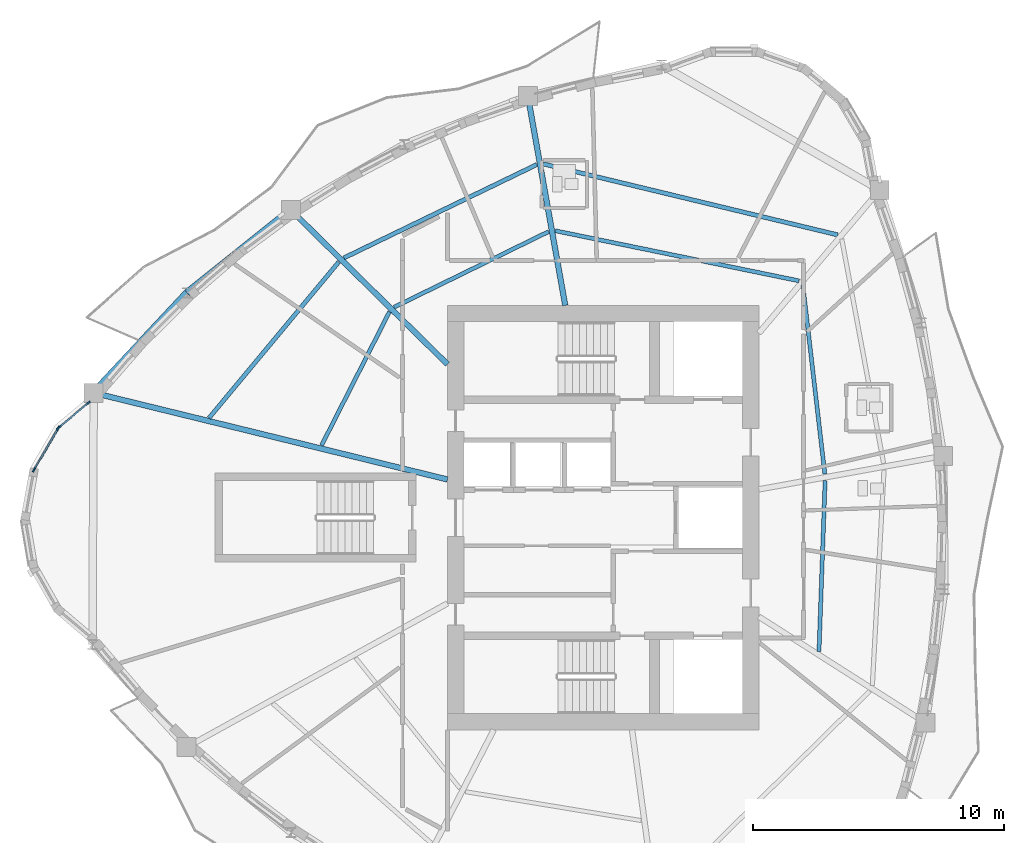
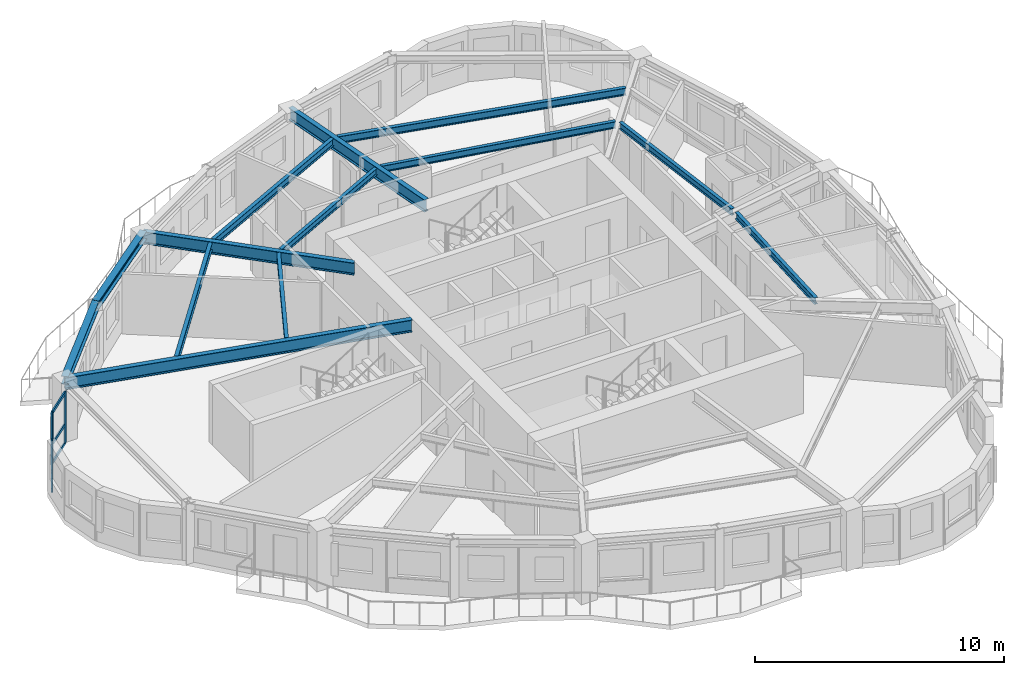
# One storey, part 2 of 13: 13 beams, 10 members, 2 elements without a shape of their own.
"""IFC4 building model written with IfcOpenShell, lengths in metres."""

from ifc_helpers import new_model, si_unit, direction, frame, origin, origin_2d, place, context, subcontext, project, spatial, rectangle, i_section, extrude, source, transform, mapped, material, layer, layer_set, material_profile, profile_set, type_object, element, aggregate, save


model = new_model("IFC4")

# Units and contexts
model_context = context("Model", 3, precision=1e-05, world=origin(), true_north=direction((0.0, 1.0)))
body_context = subcontext(model_context, "Body", "Model", "MODEL_VIEW")
ifc_project = project(units=[si_unit("LENGTHUNIT", "METRE"), si_unit("AREAUNIT", "SQUARE_METRE"), si_unit("VOLUMEUNIT", "CUBIC_METRE"), si_unit("PLANEANGLEUNIT", "RADIAN"), si_unit("MASSUNIT", "GRAM", prefix="KILO")], contexts=[model_context])

# Site, building, storey
site_placement = place(None, origin())
site = spatial("IfcSite", under=ifc_project, at=site_placement, CompositionType="ELEMENT")
building_placement = place(site_placement, origin())
building = spatial("IfcBuilding", under=site, at=building_placement, Name="Qafzar Sky-Pleat Residences", CompositionType="ELEMENT")
storey_placement = place(building_placement, frame((0.0, 0.0, 136.199951171875)))
storey = spatial("IfcBuildingStorey", under=building, at=storey_placement, Name="L40", CompositionType="ELEMENT", Elevation=136.199951171875)

# Beams
ifc_material_1 = material(Name="Steel S355", Category="steel")
ifc_material_profile_1 = material_profile(ifc_material_1, i_section(OverallWidth=0.300048828125, OverallDepth=0.39990234375, WebThickness=0.013427734375, FlangeThickness=0.02392578125, FilletRadius=0.027099609375, at=origin_2d()), Name="HEB 400")
ifc_profile_set_1 = profile_set([ifc_material_profile_1], Name="Steel S355")
beam_type_1 = type_object("IfcBeamType", Name="BM-SPAN-HEB400", PredefinedType="SPANDREL", material=ifc_profile_set_1)
shared_shape_1 = source(origin(), body_context, "Body", "SweptSolid", [
    extrude(i_section(OverallWidth=0.300048828125, OverallDepth=0.39990234375, WebThickness=0.013427734375, FlangeThickness=0.02392578125, FilletRadius=0.027099609375, at=origin_2d()), origin(), (0.0, 0.0, 1.0), 5.45556640625),
])
beam_1_placement = place(storey_placement, frame((13.791015625, 34.95166015625, 2.748046875), z_axis=(-0.683129413239, -0.73029733997, 0.0), x_axis=(0.73029733997, -0.683129413239, 0.0)))
element("IfcBeam", 1, at=beam_1_placement, inside=storey, type_object=beam_type_1, Name="L40 Perimeter Spandrel Beam 18", PredefinedType="SPANDREL", context=body_context, shape_type="MappedRepresentation", body=[
    mapped(shared_shape_1, transform((0.0, 0.0, 0.0), x_axis=(1.0, 0.0, 0.0), y_axis=(0.0, 1.0, 0.0), z_axis=(0.0, 0.0, 1.0), scale=1.0)),
])
shared_shape_2 = source(origin(), body_context, "Body", "SweptSolid", [
    extrude(i_section(OverallWidth=0.300048828125, OverallDepth=0.39990234375, WebThickness=0.013427734375, FlangeThickness=0.02392578125, FilletRadius=0.027099609375, at=origin_2d()), origin(), (0.0, 0.0, 1.0), 5.27978515625),
])
beam_2_placement = place(storey_placement, frame((17.914794921875, 38.24853515625, 2.748046875), z_axis=(-0.781067270651, -0.62444689023, 0.0), x_axis=(0.62444689023, -0.781067270651, 0.0)))
element("IfcBeam", 2, at=beam_2_placement, inside=storey, type_object=beam_type_1, Name="L40 Perimeter Spandrel Beam 17", PredefinedType="SPANDREL", context=body_context, shape_type="MappedRepresentation", body=[
    mapped(shared_shape_2, transform((0.0, 0.0, 0.0), x_axis=(1.0, 0.0, 0.0), y_axis=(0.0, 1.0, 0.0), z_axis=(0.0, 0.0, 1.0), scale=1.0)),
])
ifc_material_profile_2 = material_profile(ifc_material_1, i_section(OverallWidth=0.219970703125, OverallDepth=0.60009765625, WebThickness=0.011962890625, FlangeThickness=0.01904296875, FilletRadius=0.02392578125, at=origin_2d()), Name="IPE 600")
ifc_profile_set_2 = profile_set([ifc_material_profile_2], Name="Steel S355")
beam_type_2 = type_object("IfcBeamType", Name="BM-SEC-IPE600", PredefinedType="BEAM", material=ifc_profile_set_2)
shared_shape_3 = source(origin(), body_context, "Body", "SweptSolid", [
    extrude(i_section(OverallWidth=0.219970703125, OverallDepth=0.60009765625, WebThickness=0.011962890625, FlangeThickness=0.01904296875, FilletRadius=0.02392578125, at=origin_2d()), origin(), (0.0, 0.0, 1.0), 14.501953125),
])
beam_3_placement = place(storey_placement, frame((10.064208984375, 30.967529296875, 2.64794921875), z_axis=(0.971302709207, -0.2378466882, 0.0), x_axis=(0.2378466882, 0.971302709207, 0.0)))
element("IfcBeam", 3, at=beam_3_placement, inside=storey, type_object=beam_type_2, Name="L40 Radial Floor Girder 1", PredefinedType="BEAM", context=body_context, shape_type="MappedRepresentation", body=[
    mapped(shared_shape_3, transform((0.0, 0.0, 0.0), x_axis=(1.0, 0.0, 0.0), y_axis=(0.0, 1.0, 0.0), z_axis=(0.0, 0.0, 1.0), scale=1.0)),
])
shared_shape_4 = source(origin(), body_context, "Body", "SweptSolid", [
    extrude(i_section(OverallWidth=0.219970703125, OverallDepth=0.60009765625, WebThickness=0.011962890625, FlangeThickness=0.01904296875, FilletRadius=0.02392578125, at=origin_2d()), origin(), (0.0, 0.0, 1.0), 8.462890625),
])
beam_4_placement = place(storey_placement, frame((27.352294921875, 42.781005859375, 2.64794921875), z_axis=(0.175858532928, -0.984415449085, 0.0), x_axis=(0.984415449085, 0.175858532928, 0.0)))
element("IfcBeam", 4, at=beam_4_placement, inside=storey, type_object=beam_type_2, Name="L40 Radial Floor Girder 15", PredefinedType="BEAM", context=body_context, shape_type="MappedRepresentation", body=[
    mapped(shared_shape_4, transform((0.0, 0.0, 0.0), x_axis=(1.0, 0.0, 0.0), y_axis=(0.0, 1.0, 0.0), z_axis=(0.0, 0.0, 1.0), scale=1.0)),
])
shared_shape_5 = source(origin(), body_context, "Body", "SweptSolid", [
    extrude(i_section(OverallWidth=0.219970703125, OverallDepth=0.60009765625, WebThickness=0.011962890625, FlangeThickness=0.01904296875, FilletRadius=0.02392578125, at=origin_2d()), origin(), (0.0, 0.0, 1.0), 8.751953125),
])
beam_5_placement = place(storey_placement, frame((17.914794921875, 38.24853515625, 2.64794921875), z_axis=(0.712428631163, -0.701744572832, 0.0), x_axis=(0.701744572832, 0.712428631163, 0.0)))
element("IfcBeam", 5, at=beam_5_placement, inside=storey, type_object=beam_type_2, Name="L40 Radial Floor Girder 17", PredefinedType="BEAM", context=body_context, shape_type="MappedRepresentation", body=[
    mapped(shared_shape_5, transform((0.0, 0.0, 0.0), x_axis=(1.0, 0.0, 0.0), y_axis=(0.0, 1.0, 0.0), z_axis=(0.0, 0.0, 1.0), scale=1.0)),
])
ifc_material_profile_3 = material_profile(ifc_material_1, i_section(OverallWidth=0.169921875, OverallDepth=0.360107421875, WebThickness=0.008056640625, FlangeThickness=0.0126953125, FilletRadius=0.01806640625, at=origin_2d()), Name="IPE 360")
ifc_profile_set_3 = profile_set([ifc_material_profile_3], Name="Steel S355")
beam_type_3 = type_object("IfcBeamType", Name="BM-JST-IPE360", PredefinedType="JOIST", material=ifc_profile_set_3)
shared_shape_6 = source(origin(), body_context, "Body", "SweptSolid", [
    extrude(i_section(OverallWidth=0.169921875, OverallDepth=0.360107421875, WebThickness=0.008056640625, FlangeThickness=0.0126953125, FilletRadius=0.01806640625, at=origin_2d()), origin(), (0.0, 0.0, 1.0), 12.069580078125),
])
beam_6_placement = place(storey_placement, frame((39.693359375, 37.255615234375, 2.76806640625), z_axis=(-0.972164877291, 0.234297783518, 0.0), x_axis=(-0.234297783518, -0.972164877291, 0.0)))
element("IfcBeam", 6, at=beam_6_placement, inside=storey, type_object=beam_type_3, Name="L40 Outer Secondary Floor Joist 7", PredefinedType="JOIST", context=body_context, shape_type="MappedRepresentation", body=[
    mapped(shared_shape_6, transform((0.0, 0.0, 0.0), x_axis=(1.0, 0.0, 0.0), y_axis=(0.0, 1.0, 0.0), z_axis=(0.0, 0.0, 1.0), scale=1.0)),
])
shared_shape_7 = source(origin(), body_context, "Body", "SweptSolid", [
    extrude(i_section(OverallWidth=0.169921875, OverallDepth=0.360107421875, WebThickness=0.008056640625, FlangeThickness=0.0126953125, FilletRadius=0.01806640625, at=origin_2d()), origin(), (0.0, 0.0, 1.0), 8.52685546875),
])
beam_7_placement = place(storey_placement, frame((27.706787109375, 40.056396484375, 2.76806640625), z_axis=(-0.900136074071, -0.4356088247, 0.0), x_axis=(0.4356088247, -0.900136074071, 0.0)))
element("IfcBeam", 7, at=beam_7_placement, inside=storey, type_object=beam_type_3, Name="L40 Outer Secondary Floor Joist 8", PredefinedType="JOIST", context=body_context, shape_type="MappedRepresentation", body=[
    mapped(shared_shape_7, transform((0.0, 0.0, 0.0), x_axis=(1.0, 0.0, 0.0), y_axis=(0.0, 1.0, 0.0), z_axis=(0.0, 0.0, 1.0), scale=1.0)),
])
shared_shape_8 = source(origin(), body_context, "Body", "SweptSolid", [
    extrude(i_section(OverallWidth=0.169921875, OverallDepth=0.360107421875, WebThickness=0.008056640625, FlangeThickness=0.0126953125, FilletRadius=0.01806640625, at=origin_2d()), origin(), (0.0, 0.0, 1.0), 8.0791015625),
])
beam_8_placement = place(storey_placement, frame((19.82373046875, 36.179443359375, 2.76806640625), z_axis=(-0.639393425542, -0.768879735313, 0.0), x_axis=(0.768879735313, -0.639393425542, 0.0)))
element("IfcBeam", 8, at=beam_8_placement, inside=storey, type_object=beam_type_3, Name="L40 Outer Secondary Floor Joist 9", PredefinedType="JOIST", context=body_context, shape_type="MappedRepresentation", body=[
    mapped(shared_shape_8, transform((0.0, 0.0, 0.0), x_axis=(1.0, 0.0, 0.0), y_axis=(0.0, 1.0, 0.0), z_axis=(0.0, 0.0, 1.0), scale=1.0)),
])
ifc_material_profile_4 = material_profile(ifc_material_1, i_section(OverallWidth=0.159912109375, OverallDepth=0.330078125, WebThickness=0.007568359375, FlangeThickness=0.011474609375, FilletRadius=0.01806640625, at=origin_2d()), Name="IPE 330")
ifc_profile_set_4 = profile_set([ifc_material_profile_4], Name="Steel S355")
beam_type_4 = type_object("IfcBeamType", Name="BM-JST-IPE330", PredefinedType="JOIST", material=ifc_profile_set_4)
shared_shape_9 = source(origin(), body_context, "Body", "SweptSolid", [
    extrude(i_section(OverallWidth=0.159912109375, OverallDepth=0.330078125, WebThickness=0.007568359375, FlangeThickness=0.011474609375, FilletRadius=0.01806640625, at=origin_2d()), origin(), (0.0, 0.0, 1.0), 6.804443359375),
])
beam_9_placement = place(storey_placement, frame((38.943115234375, 20.66943359375, 2.782958984375), z_axis=(0.035843824588, 0.999357403654, 0.0), x_axis=(-0.999357403654, 0.035843824588, 0.0)))
element("IfcBeam", 9, at=beam_9_placement, inside=storey, type_object=beam_type_4, Name="L40 Inner Secondary Floor Joist 5", PredefinedType="JOIST", context=body_context, shape_type="MappedRepresentation", body=[
    mapped(shared_shape_9, transform((0.0, 0.0, 0.0), x_axis=(1.0, 0.0, 0.0), y_axis=(0.0, 1.0, 0.0), z_axis=(0.0, 0.0, 1.0), scale=1.0)),
])
shared_shape_10 = source(origin(), body_context, "Body", "SweptSolid", [
    extrude(i_section(OverallWidth=0.159912109375, OverallDepth=0.330078125, WebThickness=0.007568359375, FlangeThickness=0.011474609375, FilletRadius=0.01806640625, at=origin_2d()), origin(), (0.0, 0.0, 1.0), 7.576904296875),
])
beam_10_placement = place(storey_placement, frame((39.17626953125, 27.738525390625, 2.782958984375), z_axis=(-0.115741884546, 0.99327932434, 0.0), x_axis=(-0.99327932434, -0.115741884546, 0.0)))
element("IfcBeam", 10, at=beam_10_placement, inside=storey, type_object=beam_type_4, Name="L40 Inner Secondary Floor Joist 6", PredefinedType="JOIST", context=body_context, shape_type="MappedRepresentation", body=[
    mapped(shared_shape_10, transform((0.0, 0.0, 0.0), x_axis=(1.0, 0.0, 0.0), y_axis=(0.0, 1.0, 0.0), z_axis=(0.0, 0.0, 1.0), scale=1.0)),
])
shared_shape_11 = source(origin(), body_context, "Body", "SweptSolid", [
    extrude(i_section(OverallWidth=0.159912109375, OverallDepth=0.330078125, WebThickness=0.007568359375, FlangeThickness=0.011474609375, FilletRadius=0.01806640625, at=origin_2d()), origin(), (0.0, 0.0, 1.0), 9.91748046875),
])
beam_11_placement = place(storey_placement, frame((38.1513671875, 35.42578125, 2.782958984375), z_axis=(-0.979530197869, 0.201297271374, 0.0), x_axis=(-0.201297271374, -0.979530197869, 0.0)))
element("IfcBeam", 11, at=beam_11_placement, inside=storey, type_object=beam_type_4, Name="L40 Inner Secondary Floor Joist 7", PredefinedType="JOIST", context=body_context, shape_type="MappedRepresentation", body=[
    mapped(shared_shape_11, transform((0.0, 0.0, 0.0), x_axis=(1.0, 0.0, 0.0), y_axis=(0.0, 1.0, 0.0), z_axis=(0.0, 0.0, 1.0), scale=1.0)),
])
shared_shape_12 = source(origin(), body_context, "Body", "SweptSolid", [
    extrude(i_section(OverallWidth=0.159912109375, OverallDepth=0.330078125, WebThickness=0.007568359375, FlangeThickness=0.011474609375, FilletRadius=0.01806640625, at=origin_2d()), origin(), (0.0, 0.0, 1.0), 6.8544921875),
])
beam_12_placement = place(storey_placement, frame((28.18359375, 37.389892578125, 2.782958984375), z_axis=(-0.898233775549, -0.43951801381, 0.0), x_axis=(0.43951801381, -0.898233775549, 0.0)))
element("IfcBeam", 12, at=beam_12_placement, inside=storey, type_object=beam_type_4, Name="L40 Inner Secondary Floor Joist 8", PredefinedType="JOIST", context=body_context, shape_type="MappedRepresentation", body=[
    mapped(shared_shape_12, transform((0.0, 0.0, 0.0), x_axis=(1.0, 0.0, 0.0), y_axis=(0.0, 1.0, 0.0), z_axis=(0.0, 0.0, 1.0), scale=1.0)),
])
shared_shape_13 = source(origin(), body_context, "Body", "SweptSolid", [
    extrude(i_section(OverallWidth=0.159912109375, OverallDepth=0.330078125, WebThickness=0.007568359375, FlangeThickness=0.011474609375, FilletRadius=0.01806640625, at=origin_2d()), origin(), (0.0, 0.0, 1.0), 5.965087890625),
])
beam_13_placement = place(storey_placement, frame((21.843994140625, 34.197509765625, 2.782958984375), z_axis=(-0.453244471587, -0.891386251282, 0.0), x_axis=(0.891386251282, -0.453244471587, 0.0)))
element("IfcBeam", 13, at=beam_13_placement, inside=storey, type_object=beam_type_4, Name="L40 Inner Secondary Floor Joist 9", PredefinedType="JOIST", context=body_context, shape_type="MappedRepresentation", body=[
    mapped(shared_shape_13, transform((0.0, 0.0, 0.0), x_axis=(1.0, 0.0, 0.0), y_axis=(0.0, 1.0, 0.0), z_axis=(0.0, 0.0, 1.0), scale=1.0)),
])

# Curtain wall, members
ifc_material_2 = material(Name="Anodised bronze aluminium framing", Category="aluminium")
ifc_layer = layer(ifc_material_2, 0.199951171875)
ifc_layer_set = layer_set([ifc_layer], Name="Anodised bronze aluminium framing")
curtain_wall_type = type_object("IfcCurtainWallType", Name="CW-SYS-04", PredefinedType="NOTDEFINED", material=ifc_layer_set)
curtain_wall_1_placement = place(storey_placement, origin())
curtain_wall_1 = element("IfcCurtainWall", 14, at=curtain_wall_1_placement, inside=storey, type_object=curtain_wall_type, Name="L40 CW-04 Curtain Wall CW-L40-WG-07", PredefinedType="NOTDEFINED")
ifc_material_3 = material(Name="Anodised bronze aluminium", Category="aluminium")
ifc_material_profile_5 = material_profile(ifc_material_3, rectangle(XDim=0.06494140625, YDim=0.199951171875, at=origin_2d()), Name="ALU MULLION 65x200")
ifc_profile_set_5 = profile_set([ifc_material_profile_5], Name="Anodised bronze aluminium")
member_type_1 = type_object("IfcMemberType", Name="CWM-04", PredefinedType="MULLION", material=ifc_profile_set_5)
shared_shape_14 = source(origin(), body_context, "Body", "SweptSolid", [
    extrude(rectangle(XDim=0.06494140625, YDim=0.199951171875, at=origin_2d()), origin(), (0.0, 0.0, 1.0), 2.530029296875),
])
member_1_placement = place(storey_placement, frame((9.845703125, 30.562744140625, 0.0), z_axis=(0.0, 0.0, 1.0), x_axis=(0.642173926269, -0.766558966042, 0.0)))
member_1 = element("IfcMember", 15, at=member_1_placement, type_object=member_type_1, Name="CW-04 mullion 1", PredefinedType="MULLION", context=body_context, shape_type="MappedRepresentation", body=[
    mapped(shared_shape_14, transform((0.0, 0.0, 0.0), x_axis=(1.0, 0.0, 0.0), y_axis=(0.0, 1.0, 0.0), z_axis=(0.0, 0.0, 1.0), scale=1.0)),
])
member_2_placement = place(storey_placement, frame((8.676513671875, 29.583251953125, 0.0), z_axis=(0.0, 0.0, 1.0), x_axis=(0.642173926269, -0.766558966042, 0.0)))
member_2 = element("IfcMember", 16, at=member_2_placement, type_object=member_type_1, Name="CW-04 mullion 2", PredefinedType="MULLION", context=body_context, shape_type="MappedRepresentation", body=[
    mapped(shared_shape_14, transform((0.0, 0.0, 0.0), x_axis=(1.0, 0.0, 0.0), y_axis=(0.0, 1.0, 0.0), z_axis=(0.0, 0.0, 1.0), scale=1.0)),
])

curtain_wall_2_placement = place(storey_placement, origin())
curtain_wall_2 = element("IfcCurtainWall", 17, at=curtain_wall_2_placement, inside=storey, type_object=curtain_wall_type, Name="L40 CW-04 Curtain Wall CW-L40-WG-08", PredefinedType="NOTDEFINED")
member_3_placement = place(storey_placement, frame((8.647705078125, 29.549072265625, 0.0), z_axis=(0.0, 0.0, 1.0), x_axis=(0.8648473896, -0.502034852079, 0.0)))
member_3 = element("IfcMember", 18, at=member_3_placement, type_object=member_type_1, Name="CW-04 mullion 1", PredefinedType="MULLION", context=body_context, shape_type="MappedRepresentation", body=[
    mapped(shared_shape_14, transform((0.0, 0.0, 0.0), x_axis=(1.0, 0.0, 0.0), y_axis=(0.0, 1.0, 0.0), z_axis=(0.0, 0.0, 1.0), scale=1.0)),
])
member_4_placement = place(storey_placement, frame((7.693603515625, 27.90576171875, 0.0), z_axis=(0.0, 0.0, 1.0), x_axis=(0.8648473896, -0.502034852079, 0.0)))
member_4 = element("IfcMember", 19, at=member_4_placement, type_object=member_type_1, Name="CW-04 mullion 2", PredefinedType="MULLION", context=body_context, shape_type="MappedRepresentation", body=[
    mapped(shared_shape_14, transform((0.0, 0.0, 0.0), x_axis=(1.0, 0.0, 0.0), y_axis=(0.0, 1.0, 0.0), z_axis=(0.0, 0.0, 1.0), scale=1.0)),
])

# Member
ifc_material_profile_6 = material_profile(ifc_material_3, rectangle(XDim=0.06494140625, YDim=0.14990234375, at=origin_2d()), Name="ALU TRANSOM 65x150")
ifc_profile_set_6 = profile_set([ifc_material_profile_6], Name="Anodised bronze aluminium")
member_type_2 = type_object("IfcMemberType", Name="CWT-04", PredefinedType="USERDEFINED", material=ifc_profile_set_6)
shared_shape_15 = source(origin(), body_context, "Body", "SweptSolid", [
    extrude(rectangle(XDim=0.06494140625, YDim=0.14990234375, at=origin_2d()), origin(), (0.0, 0.0, 1.0), 1.4599609375),
])
member_5_placement = place(storey_placement, frame((9.820556640625, 30.541748046875, 0.032470703125), z_axis=(-0.766573876706, -0.642156127084, 0.0), x_axis=(0.642156127084, -0.766573876706, 0.0)))
member_5 = element("IfcMember", 20, at=member_5_placement, type_object=member_type_2, Name="CW-04 transom 1.1", ObjectType="TRANSOM", PredefinedType="USERDEFINED", context=body_context, shape_type="MappedRepresentation", body=[
    mapped(shared_shape_15, transform((0.0, 0.0, 0.0), x_axis=(1.0, 0.0, 0.0), y_axis=(0.0, 1.0, 0.0), z_axis=(0.0, 0.0, 1.0), scale=1.0)),
])

member_6_placement = place(storey_placement, frame((9.820556640625, 30.541748046875, 0.96142578125), z_axis=(-0.766573876706, -0.642156127084, 0.0), x_axis=(0.642156127084, -0.766573876706, 0.0)))
member_6 = element("IfcMember", 21, at=member_6_placement, type_object=member_type_2, Name="CW-04 transom 1.2", ObjectType="TRANSOM", PredefinedType="USERDEFINED", context=body_context, shape_type="MappedRepresentation", body=[
    mapped(shared_shape_15, transform((0.0, 0.0, 0.0), x_axis=(1.0, 0.0, 0.0), y_axis=(0.0, 1.0, 0.0), z_axis=(0.0, 0.0, 1.0), scale=1.0)),
])

member_7_placement = place(storey_placement, frame((9.820556640625, 30.541748046875, 2.49755859375), z_axis=(-0.766573876706, -0.642156127084, 0.0), x_axis=(0.642156127084, -0.766573876706, 0.0)))
member_7 = element("IfcMember", 22, at=member_7_placement, type_object=member_type_2, Name="CW-04 transom 1.3", ObjectType="TRANSOM", PredefinedType="USERDEFINED", context=body_context, shape_type="MappedRepresentation", body=[
    mapped(shared_shape_15, transform((0.0, 0.0, 0.0), x_axis=(1.0, 0.0, 0.0), y_axis=(0.0, 1.0, 0.0), z_axis=(0.0, 0.0, 1.0), scale=1.0)),
])

aggregate(curtain_wall_1, [member_1, member_2, member_5, member_6, member_7])

shared_shape_16 = source(origin(), body_context, "Body", "SweptSolid", [
    extrude(rectangle(XDim=0.06494140625, YDim=0.14990234375, at=origin_2d()), origin(), (0.0, 0.0, 1.0), 1.835205078125),
])
member_8_placement = place(storey_placement, frame((8.63134765625, 29.52099609375, 0.032470703125), z_axis=(-0.502058492076, -0.864833666398, 0.0), x_axis=(0.864833666398, -0.502058492076, 0.0)))
member_8 = element("IfcMember", 23, at=member_8_placement, type_object=member_type_2, Name="CW-04 transom 1.1", ObjectType="TRANSOM", PredefinedType="USERDEFINED", context=body_context, shape_type="MappedRepresentation", body=[
    mapped(shared_shape_16, transform((0.0, 0.0, 0.0), x_axis=(1.0, 0.0, 0.0), y_axis=(0.0, 1.0, 0.0), z_axis=(0.0, 0.0, 1.0), scale=1.0)),
])

member_9_placement = place(storey_placement, frame((8.63134765625, 29.52099609375, 0.96142578125), z_axis=(-0.502058492076, -0.864833666398, 0.0), x_axis=(0.864833666398, -0.502058492076, 0.0)))
member_9 = element("IfcMember", 24, at=member_9_placement, type_object=member_type_2, Name="CW-04 transom 1.2", ObjectType="TRANSOM", PredefinedType="USERDEFINED", context=body_context, shape_type="MappedRepresentation", body=[
    mapped(shared_shape_16, transform((0.0, 0.0, 0.0), x_axis=(1.0, 0.0, 0.0), y_axis=(0.0, 1.0, 0.0), z_axis=(0.0, 0.0, 1.0), scale=1.0)),
])

member_10_placement = place(storey_placement, frame((8.63134765625, 29.52099609375, 2.49755859375), z_axis=(-0.502058492076, -0.864833666398, 0.0), x_axis=(0.864833666398, -0.502058492076, 0.0)))
member_10 = element("IfcMember", 25, at=member_10_placement, type_object=member_type_2, Name="CW-04 transom 1.3", ObjectType="TRANSOM", PredefinedType="USERDEFINED", context=body_context, shape_type="MappedRepresentation", body=[
    mapped(shared_shape_16, transform((0.0, 0.0, 0.0), x_axis=(1.0, 0.0, 0.0), y_axis=(0.0, 1.0, 0.0), z_axis=(0.0, 0.0, 1.0), scale=1.0)),
])

aggregate(curtain_wall_2, [member_3, member_4, member_8, member_9, member_10])

save(model, "model.ifc")
